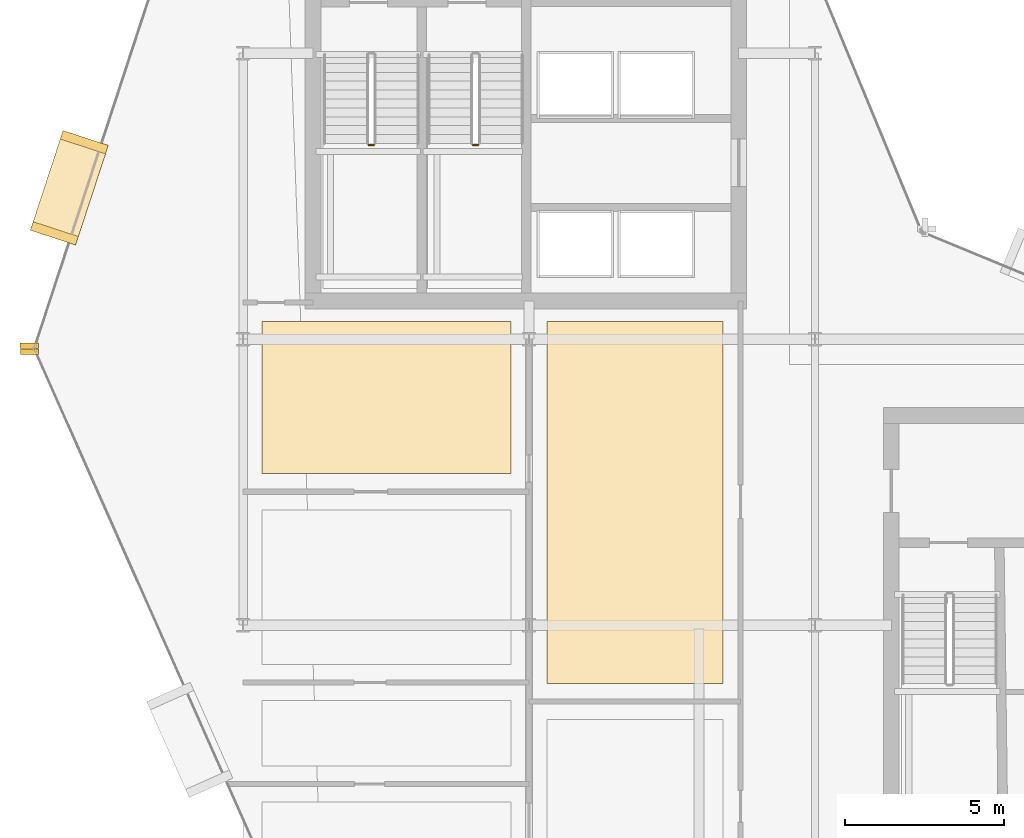
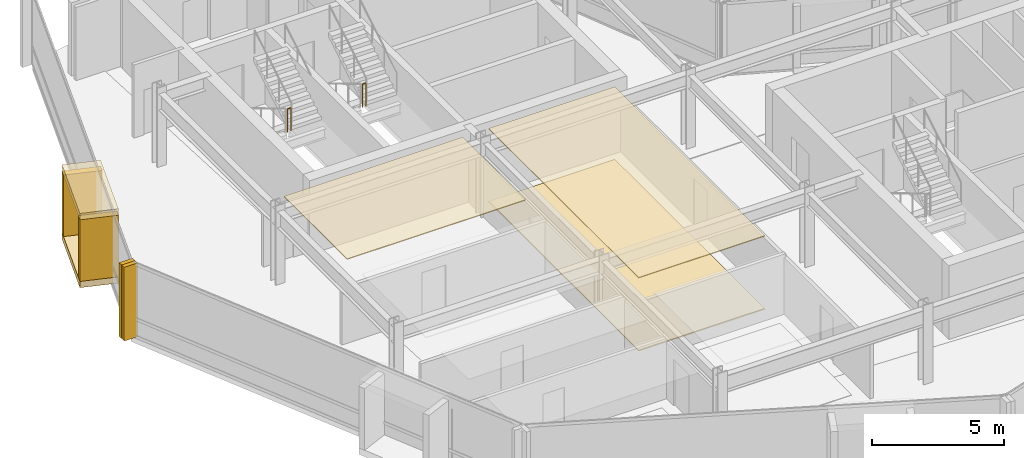
# One storey, part 23 of 27: 9 coverings, 2 railings.
"""IFC4 building model written with IfcOpenShell, lengths in metres."""

from ifc_helpers import new_model, si_unit, direction, frame, origin, origin_2d, place, context, subcontext, project, spatial, polyline, rectangle, circle, outline, extrude, material, layer, layer_set, type_object, element, save


model = new_model("IFC4")

# Units and contexts
model_context = context("Model", 3, precision=1e-05, world=origin(), true_north=direction((0.0, 1.0)))
body_context = subcontext(model_context, "Body", "Model", "MODEL_VIEW")
ifc_project = project(units=[si_unit("LENGTHUNIT", "METRE"), si_unit("AREAUNIT", "SQUARE_METRE"), si_unit("VOLUMEUNIT", "CUBIC_METRE"), si_unit("PLANEANGLEUNIT", "RADIAN"), si_unit("MASSUNIT", "GRAM", prefix="KILO")], contexts=[model_context])

# Site, building, storey
site_placement = place(None, origin())
site = spatial("IfcSite", under=ifc_project, at=site_placement, CompositionType="ELEMENT")
building_placement = place(site_placement, origin())
building = spatial("IfcBuilding", under=site, at=building_placement, Name="Solvaryn Broadcast Tower", CompositionType="ELEMENT")
storey_placement = place(building_placement, frame((0.0, 0.0, 181.60009765625)))
storey = spatial("IfcBuildingStorey", under=building, at=storey_placement, Name="L45", CompositionType="ELEMENT", Elevation=181.60009765625)

# Coverings
ifc_material_1 = material(Name="Micro-Perforated Acoustic Gypsum Ceiling", Category="concrete")
ifc_layer_1 = layer(ifc_material_1, 0.0400390625)
ifc_layer_set_1 = layer_set([ifc_layer_1], Name="CV-CEIL-ACOUSTIC")
covering_type_1 = type_object("IfcCoveringType", Name="CV-CEIL-ACOUSTIC", PredefinedType="CEILING", material=ifc_layer_set_1)
covering_1_placement = place(storey_placement, frame((0.0, 0.0, 3.3798828125)))
element("IfcCovering", 1, at=covering_1_placement, inside=storey, type_object=covering_type_1, Name="L45 Room Acoustic Ceiling 2", PredefinedType="CEILING", context=body_context, shape_type="SweptSolid", body=[
    extrude(outline(polyline([(18.570068359375, 16.169921875), (24.10009765625, 16.169921875), (24.10009765625, 27.56005859375), (18.570068359375, 27.56005859375), (18.570068359375, 16.169921875)])), origin(), (0.0, 0.0, 1.0), 0.0400390625),
])
covering_2_placement = place(storey_placement, frame((0.0, 0.0, 3.3798828125)))
element("IfcCovering", 2, at=covering_2_placement, inside=storey, type_object=covering_type_1, Name="L45 Room Acoustic Ceiling 6", PredefinedType="CEILING", context=body_context, shape_type="SweptSolid", body=[
    extrude(outline(polyline([(9.60009765625, 22.77001953125), (17.429931640625, 22.77001953125), (17.429931640625, 27.56005859375), (9.60009765625, 27.56005859375), (9.60009765625, 22.77001953125)])), origin(), (0.0, 0.0, 1.0), 0.0400390625),
])
ifc_material_2 = material(Name="Newsroom Raised Data Access Flooring", Category="steel")
ifc_layer_2 = layer(ifc_material_2, 0.050048828125)
ifc_layer_set_2 = layer_set([ifc_layer_2], Name="CV-FLOOR-RAISED")
covering_type_2 = type_object("IfcCoveringType", Name="CV-FLOOR-RAISED", PredefinedType="FLOORING", material=ifc_layer_set_2)
covering_3_placement = place(storey_placement, origin())
element("IfcCovering", 3, at=covering_3_placement, inside=storey, type_object=covering_type_2, Name="L45 Room Acoustic Floor Finish 2", PredefinedType="FLOORING", context=body_context, shape_type="SweptSolid", body=[
    extrude(outline(polyline([(18.570068359375, 16.169921875), (24.10009765625, 16.169921875), (24.10009765625, 27.56005859375), (18.570068359375, 27.56005859375), (18.570068359375, 16.169921875)])), origin(), (0.0, 0.0, 1.0), 0.0498046875),
])
ifc_material_3 = material(Name="Glazed Architectural Terracotta Rainscreen Cladding", Category="masonry")
ifc_layer_3 = layer(ifc_material_3, 0.280029296875)
ifc_layer_set_3 = layer_set([ifc_layer_3], Name="CV-TC-CLAD")
covering_type_3 = type_object("IfcCoveringType", Name="CV-TC-CLAD", PredefinedType="CLADDING", material=ifc_layer_set_3)
for number, where, z_axis, x_axis, name in (
    (4, (3.533935546875, 31.763916015625, 3.1298828125), (0.0, 0.0, 1.0), (-0.311505792684, -0.950244253402, 0.0), "L45 Projecting Stone Window Box Hood 1"),
    (5, (3.533935546875, 31.763916015625, -0.01025390625), (0.0, 0.0, 1.0), (-0.311505792684, -0.950244253402, 0.0), "L45 Projecting Stone Window Box Sill 1"),
):
    element("IfcCovering", number, at=place(storey_placement, frame(where, z_axis=z_axis, x_axis=x_axis)), inside=storey, type_object=covering_type_3, Name=name, PredefinedType="CLADDING", context=body_context, shape_type="SweptSolid", body=[
        extrude(rectangle(XDim=3.300048828125, YDim=1.5, at=origin_2d()), origin(), (0.0, 0.0, 1.0), 0.300048828125),
    ])
for number, where, z_axis, x_axis, name in (
    (6, (4.00439453125, 33.198974609375, 0.27978515625), (0.0, 0.0, 1.0), (-0.311505792684, -0.950244253402, 0.0), "L45 Projecting Stone Window Box Cheek 1-1"),
    (7, (3.063720703125, 30.3291015625, 0.27978515625), (0.0, 0.0, 1.0), (-0.311505792684, -0.950244253402, 0.0), "L45 Projecting Stone Window Box Cheek 1-2"),
):
    element("IfcCovering", number, at=place(storey_placement, frame(where, z_axis=z_axis, x_axis=x_axis)), inside=storey, type_object=covering_type_3, Name=name, PredefinedType="CLADDING", context=body_context, shape_type="SweptSolid", body=[
        extrude(rectangle(XDim=0.280029296875, YDim=1.5, at=origin_2d()), origin(), (0.0, 0.0, 1.0), 2.860107421875),
    ])
ifc_material_4 = material(Name="Extruded Architectural Terracotta Fin", Category="masonry")
ifc_layer_4 = layer(ifc_material_4, 0.179931640625)
ifc_layer_set_4 = layer_set([ifc_layer_4], Name="CV-TC-FIN")
covering_type_4 = type_object("IfcCoveringType", Name="CV-TC-FIN", PredefinedType="USERDEFINED", material=ifc_layer_set_4)
for number, where, z_axis, x_axis, name in (
    (8, (2.271240234375, 26.790771484375, 0.0), (0.0, 0.0, 1.0), (1.0, 0.0, 0.0), "L45 Terracotta Vertical Fin FIN-L45-DR1-M01"),
    (9, (2.281005859375, 26.605712890625, 0.0), (0.0, 0.0, 1.0), (1.0, 0.0, 0.0), "L45 Terracotta Vertical Fin FIN-L45-DR2-M00"),
):
    element("IfcCovering", number, at=place(storey_placement, frame(where, z_axis=z_axis, x_axis=x_axis)), inside=storey, type_object=covering_type_4, Name=name, ObjectType="FIN", PredefinedType="USERDEFINED", context=body_context, shape_type="SweptSolid", body=[
        extrude(rectangle(XDim=0.580078125, YDim=0.179931640625, at=origin_2d()), origin(), (0.0, 0.0, 1.0), 3.419921875),
    ])

# Railings
ifc_material_5 = material(Name="Painted Steel Stair Well Guard", Category="steel")
railing_type = type_object("IfcRailingType", Name="RL-STAIR-GUARD", PredefinedType="BALUSTRADE", material=ifc_material_5)
railing_1_placement = place(storey_placement, frame((12.9599609375, 33.110107421875, 1.849853515625)))
element("IfcRailing", 10, at=railing_1_placement, inside=storey, type_object=railing_type, Name="L45 ST1 stair guard 2", PredefinedType="BALUSTRADE", context=body_context, shape_type="SweptSolid", body=[
    extrude(circle(Radius=0.02392578125, at=origin_2d()), frame((0.0, 0.0, 1.076171875), z_axis=(1.0, 0.0, 0.0), x_axis=(0.0, 1.0, 0.0)), (0.0, 0.0, 1.0), 0.150146484375),
    extrude(circle(Radius=0.02099609375, at=origin_2d()), origin(), (0.0, 0.0, 1.0), 1.052001953125),
    extrude(circle(Radius=0.02099609375, at=origin_2d()), frame((0.150146484375, 0.0, 0.0)), (0.0, 0.0, 1.0), 1.052001953125),
])
railing_2_placement = place(storey_placement, frame((16.239990234375, 33.110107421875, 1.849853515625)))
element("IfcRailing", 11, at=railing_2_placement, inside=storey, type_object=railing_type, Name="L45 ST2 stair guard 2", PredefinedType="BALUSTRADE", context=body_context, shape_type="SweptSolid", body=[
    extrude(circle(Radius=0.02392578125, at=origin_2d()), frame((0.0, 0.0, 1.076171875), z_axis=(1.0, 0.0, 0.0), x_axis=(0.0, 1.0, 0.0)), (0.0, 0.0, 1.0), 0.14990234375),
    extrude(circle(Radius=0.02099609375, at=origin_2d()), origin(), (0.0, 0.0, 1.0), 1.052001953125),
    extrude(circle(Radius=0.02099609375, at=origin_2d()), frame((0.14990234375, 0.0, 0.0)), (0.0, 0.0, 1.0), 1.052001953125),
])

save(model, "model.ifc")
